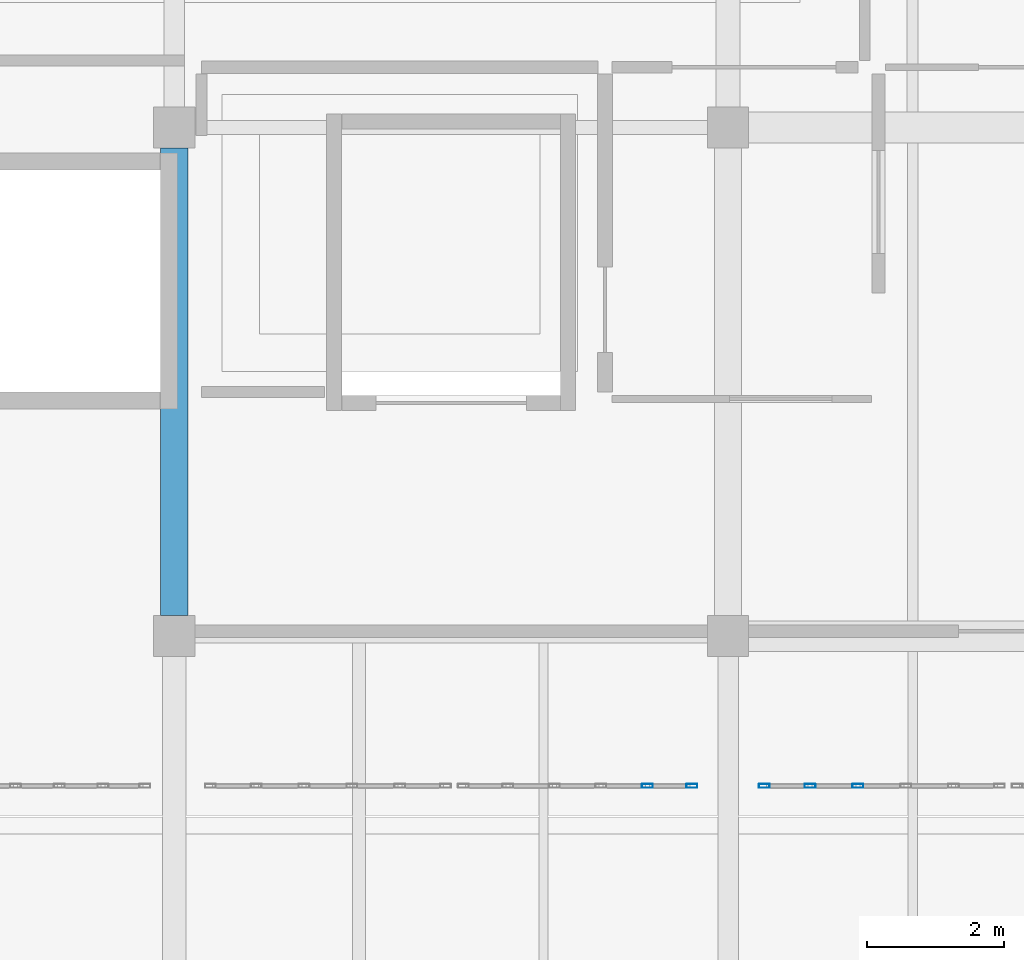
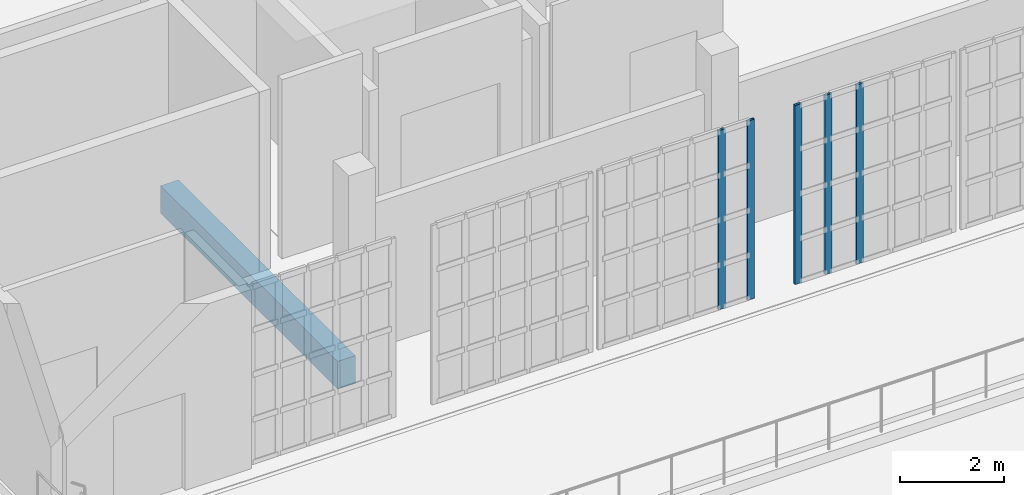
# One storey, part 21 of 56: 5 members, 1 beam, 2 elements without a shape of their own.
"""IFC4 building model written with IfcOpenShell, lengths in metres."""

from ifc_helpers import new_model, si_unit, direction, frame, origin, origin_2d, place, context, subcontext, project, spatial, rectangle, hollow_rectangle, extrude, material, material_profile, profile_set, type_object, element, aggregate, save


model = new_model("IFC4")

# Units and contexts
model_context = context("Model", 3, precision=1e-05, world=origin(), true_north=direction((0.0, 1.0)))
body_context = subcontext(model_context, "Body", "Model", "MODEL_VIEW")
ifc_project = project(units=[si_unit("LENGTHUNIT", "METRE"), si_unit("AREAUNIT", "SQUARE_METRE"), si_unit("VOLUMEUNIT", "CUBIC_METRE"), si_unit("PLANEANGLEUNIT", "RADIAN"), si_unit("MASSUNIT", "GRAM", prefix="KILO")], contexts=[model_context])

# Site, building, storey
site_placement = place(None, origin())
site = spatial("IfcSite", under=ifc_project, at=site_placement, CompositionType="ELEMENT")
building_placement = place(site_placement, origin())
building = spatial("IfcBuilding", under=site, at=building_placement, Name="Kaelora Sail Theatre", CompositionType="ELEMENT")
storey_placement = place(building_placement, frame((0.0, 0.0, 14.699951171875)))
storey = spatial("IfcBuildingStorey", under=building, at=storey_placement, Name="L03", CompositionType="ELEMENT", Elevation=14.699951171875)

# Curtain wall, members
ifc_material_1 = material(Name="Anodised aluminium and solar-control low-E IGU", Category="aluminium")
curtain_wall_type = type_object("IfcCurtainWallType", Name="ARC-CW-CW-NWG", PredefinedType="NOTDEFINED", material=ifc_material_1)
curtain_wall_1_placement = place(storey_placement, origin())
curtain_wall_1 = element("IfcCurtainWall", 1, at=curtain_wall_1_placement, inside=storey, type_object=curtain_wall_type, Name="Glazed Foyer/Conservatory Curtain Wall NW4-S-L03-03", PredefinedType="NOTDEFINED")
ifc_material_2 = material(Name="Anodised aluminium 6063-T6", Category="aluminium")
ifc_material_profile_1 = material_profile(ifc_material_2, hollow_rectangle(XDim=0.06005859375, YDim=0.159912109375, WallThickness=0.00390625, InnerFilletRadius=0.00390625, OuterFilletRadius=0.008056640625, at=origin_2d()), Name="ALU-MULL 60x160x4")
ifc_profile_set_1 = profile_set([ifc_material_profile_1], Name="Anodised aluminium 6063-T6")
member_type = type_object("IfcMemberType", Name="ARC-MEM-ML-160", PredefinedType="MULLION", material=ifc_profile_set_1)
member_1_placement = place(storey_placement, frame((113.719970703125, 88.590087890625, 0.0), z_axis=(0.0, 0.0, 1.0), x_axis=(0.0, 1.0, 0.0)))
member_1 = element("IfcMember", 2, at=member_1_placement, type_object=member_type, Name="CW-NWG mullion 5", PredefinedType="MULLION", context=body_context, shape_type="SweptSolid", body=[
    extrude(hollow_rectangle(XDim=0.06005859375, YDim=0.159912109375, WallThickness=0.00390625, InnerFilletRadius=0.00390625, OuterFilletRadius=0.008056640625, at=origin_2d()), origin(), (0.0, 0.0, 1.0), 4.22509765625),
])
member_2_placement = place(storey_placement, frame((114.3701171875, 88.590087890625, 0.0), z_axis=(0.0, 0.0, 1.0), x_axis=(0.0, 1.0, 0.0)))
member_2 = element("IfcMember", 3, at=member_2_placement, type_object=member_type, Name="CW-NWG mullion 6", PredefinedType="MULLION", context=body_context, shape_type="SweptSolid", body=[
    extrude(hollow_rectangle(XDim=0.06005859375, YDim=0.159912109375, WallThickness=0.00390625, InnerFilletRadius=0.00390625, OuterFilletRadius=0.008056640625, at=origin_2d()), origin(), (0.0, 0.0, 1.0), 4.22509765625),
])
aggregate(curtain_wall_1, [member_1, member_2])

curtain_wall_2_placement = place(storey_placement, origin())
curtain_wall_2 = element("IfcCurtainWall", 4, at=curtain_wall_2_placement, inside=storey, type_object=curtain_wall_type, Name="Glazed Foyer/Conservatory Curtain Wall NW4-S-L03-04", PredefinedType="NOTDEFINED")
member_3_placement = place(storey_placement, frame((115.429931640625, 88.590087890625, 0.0), z_axis=(0.0, 0.0, 1.0), x_axis=(0.0, 1.0, 0.0)))
member_3 = element("IfcMember", 5, at=member_3_placement, type_object=member_type, Name="CW-NWG mullion 1", PredefinedType="MULLION", context=body_context, shape_type="SweptSolid", body=[
    extrude(hollow_rectangle(XDim=0.06005859375, YDim=0.159912109375, WallThickness=0.00390625, InnerFilletRadius=0.00390625, OuterFilletRadius=0.008056640625, at=origin_2d()), origin(), (0.0, 0.0, 1.0), 4.22509765625),
])
member_4_placement = place(storey_placement, frame((116.10009765625, 88.590087890625, 0.0), z_axis=(0.0, 0.0, 1.0), x_axis=(0.0, 1.0, 0.0)))
member_4 = element("IfcMember", 6, at=member_4_placement, type_object=member_type, Name="CW-NWG mullion 2", PredefinedType="MULLION", context=body_context, shape_type="SweptSolid", body=[
    extrude(hollow_rectangle(XDim=0.06005859375, YDim=0.159912109375, WallThickness=0.00390625, InnerFilletRadius=0.00390625, OuterFilletRadius=0.008056640625, at=origin_2d()), origin(), (0.0, 0.0, 1.0), 4.22509765625),
])
member_5_placement = place(storey_placement, frame((116.800048828125, 88.590087890625, 0.0), z_axis=(0.0, 0.0, 1.0), x_axis=(0.0, 1.0, 0.0)))
member_5 = element("IfcMember", 7, at=member_5_placement, type_object=member_type, Name="CW-NWG mullion 3", PredefinedType="MULLION", context=body_context, shape_type="SweptSolid", body=[
    extrude(hollow_rectangle(XDim=0.06005859375, YDim=0.159912109375, WallThickness=0.00390625, InnerFilletRadius=0.00390625, OuterFilletRadius=0.008056640625, at=origin_2d()), origin(), (0.0, 0.0, 1.0), 4.22509765625),
])
aggregate(curtain_wall_2, [member_3, member_4, member_5])

# Beam
ifc_material_3 = material(Name="Concrete C40/50", Category="concrete")
ifc_material_profile_2 = material_profile(ifc_material_3, rectangle(XDim=0.39990234375, YDim=0.64990234375, at=origin_2d()), Name="RC-BM 400x650")
ifc_profile_set_2 = profile_set([ifc_material_profile_2], Name="Concrete C40/50")
beam_type = type_object("IfcBeamType", Name="STR-BM-BM-RC4065", PredefinedType="BEAM", material=ifc_profile_set_2)
beam_placement = place(storey_placement, frame((106.800048828125, 91.080078125, -0.599853515625), z_axis=(0.0, 1.0, 0.0), x_axis=(-1.0, 0.0, 0.0)))
element("IfcBeam", 8, at=beam_placement, inside=storey, type_object=beam_type, Name="Primary beam 14 M-N (L03)", PredefinedType="BEAM", context=body_context, shape_type="SweptSolid", body=[
    extrude(rectangle(XDim=0.39990234375, YDim=0.64990234375, at=origin_2d()), origin(), (0.0, 0.0, 1.0), 6.83984375),
])

save(model, "model.ifc")
